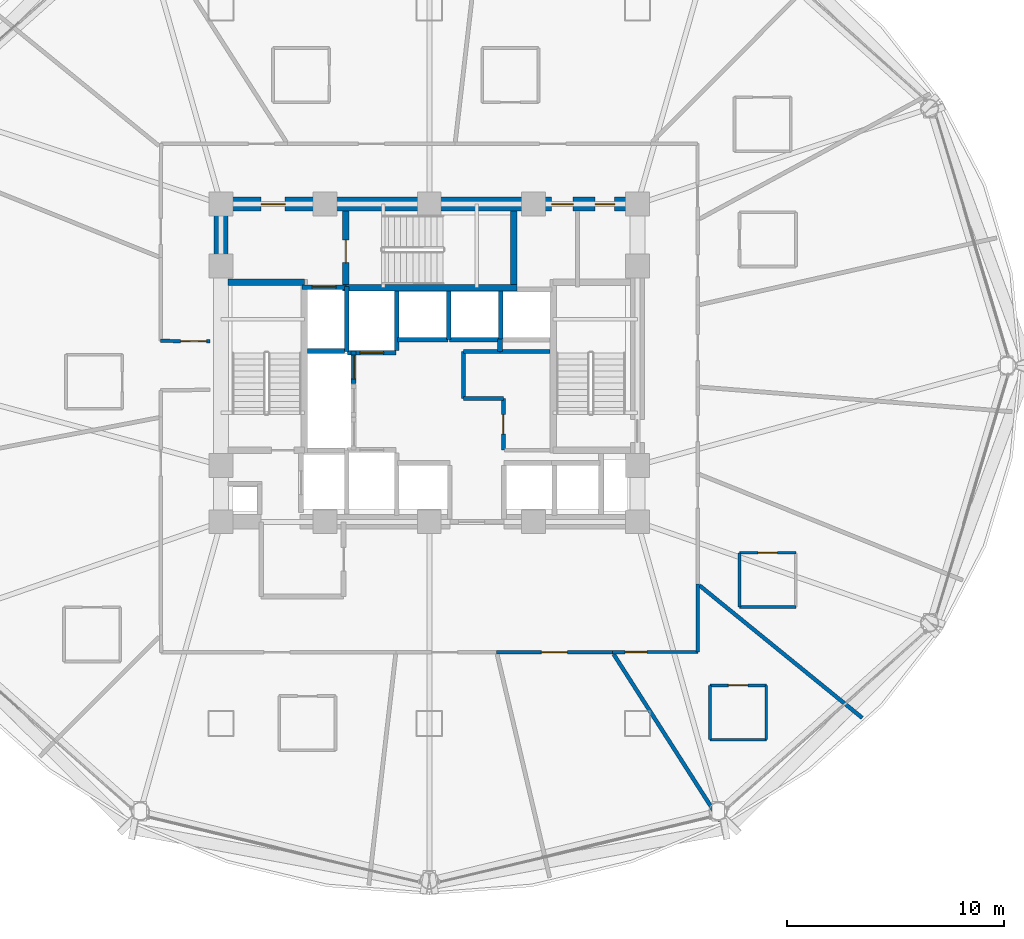
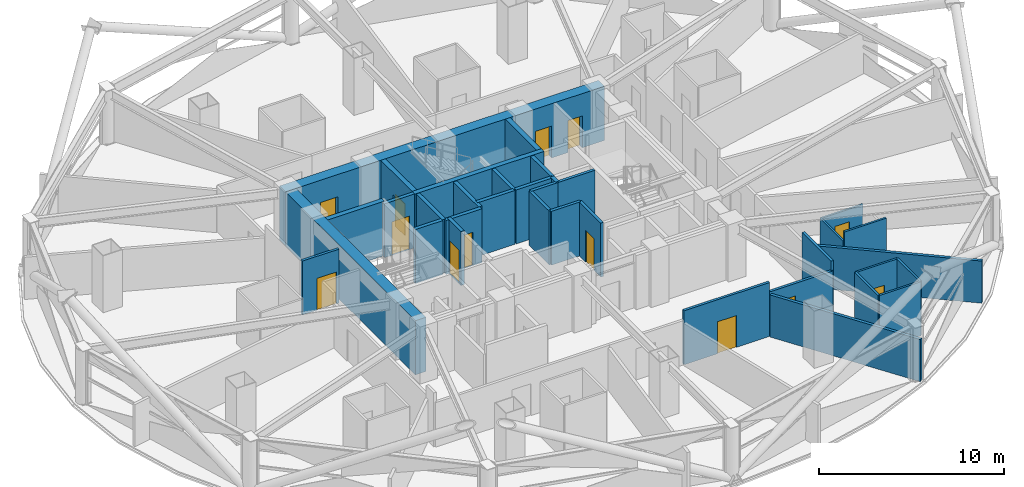
# One storey, part 24 of 30: 35 walls, 13 doors, 13 openings.
"""IFC4 building model written with IfcOpenShell, lengths in metres."""

from ifc_helpers import new_model, si_unit, direction, frame, frame_2d, origin, place, context, subcontext, project, spatial, rectangle, extrude, material, layer, layer_set, type_object, element, fill, save


model = new_model("IFC4")

# Units and contexts
model_context = context("Model", 3, precision=1e-05, world=origin(), true_north=direction((0.0, 1.0)))
body_context = subcontext(model_context, "Body", "Model", "MODEL_VIEW")
ifc_project = project(units=[si_unit("LENGTHUNIT", "METRE"), si_unit("AREAUNIT", "SQUARE_METRE"), si_unit("VOLUMEUNIT", "CUBIC_METRE"), si_unit("PLANEANGLEUNIT", "RADIAN"), si_unit("MASSUNIT", "GRAM", prefix="KILO")], contexts=[model_context])

# Site, building, storey
site_placement = place(None, origin())
site = spatial("IfcSite", under=ifc_project, at=site_placement, CompositionType="ELEMENT")
building_placement = place(site_placement, origin())
building = spatial("IfcBuilding", under=site, at=building_placement, Name="Vantalir Tower", CompositionType="ELEMENT")
storey_placement = place(building_placement, frame((0.0, 0.0, 49.5)))
storey = spatial("IfcBuildingStorey", under=building, at=storey_placement, Name="L11", CompositionType="ELEMENT", Elevation=49.5)

# Wall
ifc_material_1 = material(Name="Moisture-resistant en-suite partition", Category="gypsum")
ifc_layer_1 = layer(ifc_material_1, 0.125)
ifc_layer_set_1 = layer_set([ifc_layer_1], Name="Moisture-resistant en-suite partition")
wall_type_1 = type_object("IfcWallType", Name="WL-BATH-125", PredefinedType="PARTITIONING", material=ifc_layer_set_1)
wall_1_placement = place(storey_placement, frame((44.446044921875, 7.7548828125, 0.0), z_axis=(0.0, 0.0, 1.0), x_axis=(1.0, 0.0, 0.0)))
element("IfcWall", 1, at=wall_1_placement, inside=storey, type_object=wall_type_1, Name="L11 En-suite 12 South Wall", PredefinedType="PARTITIONING", context=body_context, shape_type="SweptSolid", body=[
    extrude(rectangle(XDim=2.599853515625, YDim=0.125, at=frame_2d((1.2998046875, 0.0))), origin(), (0.0, 0.0, 1.0), 3.550048828125),
])

# Wall, opening, door
wall_2_placement = place(storey_placement, frame((44.446044921875, 10.2548828125, 0.0), z_axis=(0.0, 0.0, 1.0), x_axis=(1.0, 0.0, 0.0)))
wall_2 = element("IfcWall", 2, at=wall_2_placement, inside=storey, type_object=wall_type_1, Name="L11 En-suite 12 North Wall", PredefinedType="PARTITIONING", context=body_context, shape_type="SweptSolid", body=[
    extrude(rectangle(XDim=2.599853515625, YDim=0.125, at=frame_2d((1.2998046875, 0.0))), origin(), (0.0, 0.0, 1.0), 3.550048828125),
])
opening_1_placement = place(wall_2_placement, frame((0.85009765625, 0.0, 0.0)))
opening_1 = element("IfcOpeningElement", 3, at=opening_1_placement, cuts=wall_2, Name="Opening D-WC", PredefinedType="OPENING", context=body_context, shape_type="SweptSolid", body=[
    extrude(rectangle(XDim=0.89990234375, YDim=2.10009765625, at=frame_2d((0.449951171875, 1.050048828125))), frame((0.0, 0.072509765625, 0.0), z_axis=(0.0, -1.0, 0.0), x_axis=(1.0, 0.0, 0.0)), (0.0, 0.0, 1.0), 0.14501953125),
])
ifc_material_2 = material(Name="Moisture-resistant hardwood door", Category="wood")
door_type_1 = type_object("IfcDoorType", Name="DR-ENSUITE-900", OperationType="NOTDEFINED", PredefinedType="DOOR", material=ifc_material_2)
door_1_placement = place(opening_1_placement, frame((0.89990234375, 0.0, 0.0), z_axis=(0.0, 0.0, 1.0), x_axis=(-1.0, 0.0, 0.0)))
door_1 = element("IfcDoor", 4, at=door_1_placement, inside=storey, type_object=door_type_1, Name="L11 En-suite 12 Door", OperationType="SINGLE_SWING_RIGHT", OverallHeight=2.10009765625, OverallWidth=0.89990234375, PredefinedType="DOOR", context=body_context, shape_type="SweptSolid", body=[
    extrude(rectangle(XDim=0.89990234375, YDim=2.10009765625, at=frame_2d((0.449951171875, 1.050048828125))), frame((0.0, 0.02490234375, 0.0), z_axis=(0.0, -1.0, 0.0), x_axis=(1.0, 0.0, 0.0)), (0.0, 0.0, 1.0), 0.050048828125),
])
fill(opening_1, door_1)

# Walls
for number, where, z_axis, x_axis, name in (
    (5, (44.446044921875, 7.7548828125, 0.0), (0.0, 0.0, 1.0), (0.0, 1.0, 0.0), "L11 En-suite 12 West Wall"),
    (6, (47.0458984375, 7.7548828125, 0.0), (0.0, 0.0, 1.0), (0.0, 1.0, 0.0), "L11 En-suite 12 East Wall"),
):
    element("IfcWall", number, at=place(storey_placement, frame(where, z_axis=z_axis, x_axis=x_axis)), inside=storey, type_object=wall_type_1, Name=name, PredefinedType="PARTITIONING", context=body_context, shape_type="SweptSolid", body=[
        extrude(rectangle(XDim=2.5, YDim=0.125, at=frame_2d((1.25, 0.0))), origin(), (0.0, 0.0, 1.0), 3.550048828125),
    ])
wall_3_placement = place(storey_placement, frame((45.805908203125, 13.867919921875, 0.0), z_axis=(0.0, 0.0, 1.0), x_axis=(1.0, 0.0, 0.0)))
element("IfcWall", 7, at=wall_3_placement, inside=storey, type_object=wall_type_1, Name="L11 En-suite 13 South Wall", PredefinedType="PARTITIONING", context=body_context, shape_type="SweptSolid", body=[
    extrude(rectangle(XDim=2.60009765625, YDim=0.125, at=frame_2d((1.300048828125, 0.0))), origin(), (0.0, 0.0, 1.0), 3.550048828125),
])

# Wall, opening, door
wall_4_placement = place(storey_placement, frame((45.805908203125, 16.367919921875, 0.0), z_axis=(0.0, 0.0, 1.0), x_axis=(1.0, 0.0, 0.0)))
wall_4 = element("IfcWall", 8, at=wall_4_placement, inside=storey, type_object=wall_type_1, Name="L11 En-suite 13 North Wall", PredefinedType="PARTITIONING", context=body_context, shape_type="SweptSolid", body=[
    extrude(rectangle(XDim=2.60009765625, YDim=0.125, at=frame_2d((1.300048828125, 0.0))), origin(), (0.0, 0.0, 1.0), 2.927978515625),
])
opening_2_placement = place(wall_4_placement, frame((0.85009765625, 0.0, 0.0)))
opening_2 = element("IfcOpeningElement", 9, at=opening_2_placement, cuts=wall_4, Name="Opening D-WC", PredefinedType="OPENING", context=body_context, shape_type="SweptSolid", body=[
    extrude(rectangle(XDim=0.89990234375, YDim=2.10009765625, at=frame_2d((0.449951171875, 1.050048828125))), frame((0.0, 0.072509765625, 0.0), z_axis=(0.0, -1.0, 0.0), x_axis=(1.0, 0.0, 0.0)), (0.0, 0.0, 1.0), 0.14501953125),
])
door_2_placement = place(opening_2_placement, frame((0.89990234375, 0.0, 0.0), z_axis=(0.0, 0.0, 1.0), x_axis=(-1.0, 0.0, 0.0)))
door_2 = element("IfcDoor", 10, at=door_2_placement, inside=storey, type_object=door_type_1, Name="L11 En-suite 13 Door", OperationType="SINGLE_SWING_LEFT", OverallHeight=2.10009765625, OverallWidth=0.89990234375, PredefinedType="DOOR", context=body_context, shape_type="SweptSolid", body=[
    extrude(rectangle(XDim=0.89990234375, YDim=2.10009765625, at=frame_2d((0.449951171875, 1.050048828125))), frame((0.0, 0.02490234375, 0.0), z_axis=(0.0, -1.0, 0.0), x_axis=(1.0, 0.0, 0.0)), (0.0, 0.0, 1.0), 0.050048828125),
])
fill(opening_2, door_2)

# Wall
wall_5_placement = place(storey_placement, frame((45.805908203125, 13.867919921875, 0.0), z_axis=(0.0, 0.0, 1.0), x_axis=(0.0, 1.0, 0.0)))
element("IfcWall", 11, at=wall_5_placement, inside=storey, type_object=wall_type_1, Name="L11 En-suite 13 West Wall", PredefinedType="PARTITIONING", context=body_context, shape_type="SweptSolid", body=[
    extrude(rectangle(XDim=2.5, YDim=0.125, at=frame_2d((1.25, 0.0))), origin(), (0.0, 0.0, 1.0), 2.927978515625),
])

# Wall, openings, doors
ifc_material_3 = material(Name="Concrete C60/75", Category="concrete")
ifc_layer_2 = layer(ifc_material_3, 0.64990234375)
ifc_layer_set_2 = layer_set([ifc_layer_2], Name="Concrete C60/75")
wall_type_2 = type_object("IfcWallType", Name="WL-CORE-650", PredefinedType="SHEAR", material=ifc_layer_set_2)
wall_6_placement = place(storey_placement, frame((21.574951171875, 32.449951171875, 0.0), z_axis=(0.0, 0.0, 1.0), x_axis=(1.0, 0.0, 0.0)))
wall_6 = element("IfcWall", 12, at=wall_6_placement, inside=storey, type_object=wall_type_2, Name="L11 Core Shear Wall North", PredefinedType="SHEAR", context=body_context, shape_type="SweptSolid", body=[
    extrude(rectangle(XDim=19.85009765625, YDim=0.64990234375, at=frame_2d((9.925048828125, 0.0))), origin(), (0.0, 0.0, 1.0), 3.570068359375),
])
opening_3_placement = place(wall_6_placement, frame((2.175048828125, 0.0, 0.0)))
opening_3 = element("IfcOpeningElement", 13, at=opening_3_placement, cuts=wall_6, Name="Opening D-FFL", PredefinedType="OPENING", context=body_context, shape_type="SweptSolid", body=[
    extrude(rectangle(XDim=1.10009765625, YDim=2.10009765625, at=frame_2d((0.550048828125, 1.050048828125))), frame((0.0, 0.3349609375, 0.0), z_axis=(0.0, -1.0, 0.0), x_axis=(1.0, 0.0, 0.0)), (0.0, 0.0, 1.0), 0.669921875),
])
opening_4_placement = place(wall_6_placement, frame((15.56494140625, 0.0, 0.0)))
opening_4 = element("IfcOpeningElement", 14, at=opening_4_placement, cuts=wall_6, Name="Opening D-GUEST", PredefinedType="OPENING", context=body_context, shape_type="SweptSolid", body=[
    extrude(rectangle(XDim=1.0, YDim=2.10009765625, at=frame_2d((0.5, 1.050048828125))), frame((0.0, 0.3349609375, 0.0), z_axis=(0.0, -1.0, 0.0), x_axis=(1.0, 0.0, 0.0)), (0.0, 0.0, 1.0), 0.669921875),
])
opening_5_placement = place(wall_6_placement, frame((17.574951171875, 0.0, 0.0)))
opening_5 = element("IfcOpeningElement", 15, at=opening_5_placement, cuts=wall_6, Name="Opening D-CR", PredefinedType="OPENING", context=body_context, shape_type="SweptSolid", body=[
    extrude(rectangle(XDim=0.89990234375, YDim=2.10009765625, at=frame_2d((0.449951171875, 1.050048828125))), frame((0.0, 0.3349609375, 0.0), z_axis=(0.0, -1.0, 0.0), x_axis=(1.0, 0.0, 0.0)), (0.0, 0.0, 1.0), 0.669921875),
])
ifc_material_4 = material(Name="Fire-rated steel core service door", Category="steel")
door_type_2 = type_object("IfcDoorType", Name="DR-CORE-SERV-900", OperationType="NOTDEFINED", PredefinedType="DOOR", material=ifc_material_4)
door_3_placement = place(opening_5_placement, frame((0.89990234375, 0.0, 0.0), z_axis=(0.0, 0.0, 1.0), x_axis=(-1.0, 0.0, 0.0)))
door_3 = element("IfcDoor", 16, at=door_3_placement, inside=storey, type_object=door_type_2, Name="L11 Housekeeping and Linen Room Door", OperationType="SINGLE_SWING_RIGHT", OverallHeight=2.10009765625, OverallWidth=0.89990234375, PredefinedType="DOOR", context=body_context, shape_type="SweptSolid", body=[
    extrude(rectangle(XDim=0.89990234375, YDim=2.10009765625, at=frame_2d((0.449951171875, 1.050048828125))), frame((0.0, 0.02490234375, 0.0), z_axis=(0.0, -1.0, 0.0), x_axis=(1.0, 0.0, 0.0)), (0.0, 0.0, 1.0), 0.050048828125),
])
fill(opening_5, door_3)
ifc_material_5 = material(Name="Fire-rated acoustic steel door", Category="steel")
door_type_3 = type_object("IfcDoorType", Name="DR-FIRE-LOBBY-1100", OperationType="NOTDEFINED", PredefinedType="DOOR", material=ifc_material_5)
door_4_placement = place(opening_3_placement, frame((1.10009765625, 0.0, 0.0), z_axis=(0.0, 0.0, 1.0), x_axis=(-1.0, 0.0, 0.0)))
door_4 = element("IfcDoor", 17, at=door_4_placement, inside=storey, type_object=door_type_3, Name="L11 Firefighting Lobby East Access Door", OperationType="SINGLE_SWING_LEFT", OverallHeight=2.10009765625, OverallWidth=1.10009765625, PredefinedType="DOOR", context=body_context, shape_type="SweptSolid", body=[
    extrude(rectangle(XDim=1.10009765625, YDim=2.10009765625, at=frame_2d((0.550048828125, 1.050048828125))), frame((0.0, 0.02490234375, 0.0), z_axis=(0.0, -1.0, 0.0), x_axis=(1.0, 0.0, 0.0)), (0.0, 0.0, 1.0), 0.050048828125),
])
fill(opening_3, door_4)
ifc_material_6 = material(Name="Solid-core teak veneer acoustic fire door", Category="wood")
door_type_4 = type_object("IfcDoorType", Name="DR-GUEST-ENTRY-1000", OperationType="NOTDEFINED", PredefinedType="DOOR", material=ifc_material_6)
door_5_placement = place(opening_4_placement, frame((1.0, 0.0, 0.0), z_axis=(0.0, 0.0, 1.0), x_axis=(-1.0, 0.0, 0.0)))
door_5 = element("IfcDoor", 18, at=door_5_placement, inside=storey, type_object=door_type_4, Name="L11 High-Rise Lift Lobby Door", OperationType="SINGLE_SWING_LEFT", OverallHeight=2.10009765625, OverallWidth=1.0, PredefinedType="DOOR", context=body_context, shape_type="SweptSolid", body=[
    extrude(rectangle(XDim=1.0, YDim=2.10009765625, at=frame_2d((0.5, 1.050048828125))), frame((0.0, 0.02490234375, 0.0), z_axis=(0.0, -1.0, 0.0), x_axis=(1.0, 0.0, 0.0)), (0.0, 0.0, 1.0), 0.050048828125),
])
fill(opening_4, door_5)

# Wall
wall_7_placement = place(storey_placement, frame((21.89990234375, 18.125, 0.0), z_axis=(0.0, 0.0, 1.0), x_axis=(0.0, 1.0, 0.0)))
element("IfcWall", 19, at=wall_7_placement, inside=storey, type_object=wall_type_2, Name="L11 Core Shear Wall West", PredefinedType="SHEAR", context=body_context, shape_type="SweptSolid", body=[
    extrude(rectangle(XDim=14.0, YDim=0.64990234375, at=frame_2d((7.0, 0.0))), origin(), (0.0, 0.0, 1.0), 3.570068359375),
])

# Wall, opening, door
ifc_material_7 = material(Name="Fire-rated hotel corridor acoustic partition", Category="gypsum")
ifc_layer_3 = layer(ifc_material_7, 0.159912109375)
ifc_layer_set_3 = layer_set([ifc_layer_3], Name="Fire-rated hotel corridor acoustic partition")
wall_type_3 = type_object("IfcWallType", Name="WL-CORR-160", PredefinedType="PARTITIONING", material=ifc_layer_set_3)
wall_8_placement = place(storey_placement, frame((21.39501953125, 26.116943359375, 0.0), z_axis=(0.0, 0.0, 1.0), x_axis=(-0.999939393754, 0.011009487713, 0.0)))
wall_8 = element("IfcWall", 20, at=wall_8_placement, inside=storey, type_object=wall_type_3, Name="L11 Corridor Partition 01", PredefinedType="PARTITIONING", context=body_context, shape_type="SweptSolid", body=[
    extrude(rectangle(XDim=2.2841796875, YDim=0.159912109375, at=frame_2d((1.14208984375, 0.0))), origin(), (0.0, 0.0, 1.0), 3.550048828125),
])
opening_6_placement = place(wall_8_placement, frame((0.159912109375, 0.0, 0.0)))
opening_6 = element("IfcOpeningElement", 21, at=opening_6_placement, cuts=wall_8, Name="Opening D-STE", PredefinedType="OPENING", context=body_context, shape_type="SweptSolid", body=[
    extrude(rectangle(XDim=1.199951171875, YDim=2.10009765625, at=frame_2d((0.60009765625, 1.050048828125))), frame((0.0, 0.08984375, 0.0), z_axis=(0.0, -1.0, 0.0), x_axis=(1.0, 0.0, 0.0)), (0.0, 0.0, 1.0), 0.179931640625),
])
ifc_material_8 = material(Name="Solid-core teak veneer suite entrance door", Category="wood")
door_type_5 = type_object("IfcDoorType", Name="DR-SUITE-ENTRY-1200", OperationType="NOTDEFINED", PredefinedType="DOOR", material=ifc_material_8)
door_6_placement = place(opening_6_placement, origin())
door_6 = element("IfcDoor", 22, at=door_6_placement, inside=storey, type_object=door_type_5, Name="L11 Corner Panorama Hotel Suite 07 Door", OperationType="SINGLE_SWING_RIGHT", OverallHeight=2.10009765625, OverallWidth=1.199951171875, PredefinedType="DOOR", context=body_context, shape_type="SweptSolid", body=[
    extrude(rectangle(XDim=1.199951171875, YDim=2.10009765625, at=frame_2d((0.60009765625, 1.050048828125))), frame((0.0, 0.02490234375, 0.0), z_axis=(0.0, -1.0, 0.0), x_axis=(1.0, 0.0, 0.0)), (0.0, 0.0, 1.0), 0.050048828125),
])
fill(opening_6, door_6)

# Wall
wall_9_placement = place(storey_placement, frame((43.883056640625, 14.926025390625, 0.0), z_axis=(0.0, 0.0, 1.0), x_axis=(0.000623976167, -0.999999805327, 0.0)))
element("IfcWall", 23, at=wall_9_placement, inside=storey, type_object=wall_type_3, Name="L11 Corridor Partition 13", PredefinedType="PARTITIONING", context=body_context, shape_type="SweptSolid", body=[
    extrude(rectangle(XDim=3.130126953125, YDim=0.159912109375, at=frame_2d((1.56494140625, 0.0))), origin(), (0.0, 0.0, 1.0), 3.550048828125),
])

# Wall, opening, door
wall_10_placement = place(storey_placement, frame((43.885009765625, 11.7958984375, 0.0), z_axis=(0.0, 0.0, 1.0), x_axis=(-0.999999877509, -0.000494957559, 0.0)))
wall_10 = element("IfcWall", 24, at=wall_10_placement, inside=storey, type_object=wall_type_3, Name="L11 Corridor Partition 14", PredefinedType="PARTITIONING", context=body_context, shape_type="SweptSolid", body=[
    extrude(rectangle(XDim=3.946044921875, YDim=0.159912109375, at=frame_2d((1.97314453125, 0.0))), origin(), (0.0, 0.0, 1.0), 2.927978515625),
])
opening_7_placement = place(wall_10_placement, frame((2.347900390625, 0.0, 0.0)))
opening_7 = element("IfcOpeningElement", 25, at=opening_7_placement, cuts=wall_10, Name="Opening D-GUEST", PredefinedType="OPENING", context=body_context, shape_type="SweptSolid", body=[
    extrude(rectangle(XDim=1.0, YDim=2.10009765625, at=frame_2d((0.5, 1.050048828125))), frame((0.0, 0.08984375, 0.0), z_axis=(0.0, -1.0, 0.0), x_axis=(1.0, 0.0, 0.0)), (0.0, 0.0, 1.0), 0.179931640625),
])
door_7_placement = place(opening_7_placement, origin())
door_7 = element("IfcDoor", 26, at=door_7_placement, inside=storey, type_object=door_type_4, Name="L11 Twin Queen Hotel Room 12 Door", OperationType="SINGLE_SWING_LEFT", OverallHeight=2.10009765625, OverallWidth=1.0, PredefinedType="DOOR", context=body_context, shape_type="SweptSolid", body=[
    extrude(rectangle(XDim=1.0, YDim=2.10009765625, at=frame_2d((0.5, 1.050048828125))), frame((0.0, 0.02490234375, 0.0), z_axis=(0.0, -1.0, 0.0), x_axis=(1.0, 0.0, 0.0)), (0.0, 0.0, 1.0), 0.050048828125),
])
fill(opening_7, door_7)

wall_11_placement = place(storey_placement, frame((39.93896484375, 11.7939453125, 0.0), z_axis=(0.0, 0.0, 1.0), x_axis=(-0.99999973155, -0.000732734736, 0.0)))
wall_11 = element("IfcWall", 27, at=wall_11_placement, inside=storey, type_object=wall_type_3, Name="L11 Corridor Partition 15", PredefinedType="PARTITIONING", context=body_context, shape_type="SweptSolid", body=[
    extrude(rectangle(XDim=5.3310546875, YDim=0.159912109375, at=frame_2d((2.66552734375, 0.0))), origin(), (0.0, 0.0, 1.0), 3.550048828125),
])
opening_8_placement = place(wall_11_placement, frame((2.06591796875, 0.0, 0.0)))
opening_8 = element("IfcOpeningElement", 28, at=opening_8_placement, cuts=wall_11, Name="Opening D-STE", PredefinedType="OPENING", context=body_context, shape_type="SweptSolid", body=[
    extrude(rectangle(XDim=1.199951171875, YDim=2.10009765625, at=frame_2d((0.60009765625, 1.050048828125))), frame((0.0, 0.08984375, 0.0), z_axis=(0.0, -1.0, 0.0), x_axis=(1.0, 0.0, 0.0)), (0.0, 0.0, 1.0), 0.179931640625),
])
door_8_placement = place(opening_8_placement, origin())
door_8 = element("IfcDoor", 29, at=door_8_placement, inside=storey, type_object=door_type_5, Name="L11 Executive Sky Boardroom 11 Door", OperationType="SINGLE_SWING_RIGHT", OverallHeight=2.10009765625, OverallWidth=1.199951171875, PredefinedType="DOOR", context=body_context, shape_type="SweptSolid", body=[
    extrude(rectangle(XDim=1.199951171875, YDim=2.10009765625, at=frame_2d((0.60009765625, 1.050048828125))), frame((0.0, 0.02490234375, 0.0), z_axis=(0.0, -1.0, 0.0), x_axis=(1.0, 0.0, 0.0)), (0.0, 0.0, 1.0), 0.050048828125),
])
fill(opening_8, door_8)

# Walls
ifc_material_9 = material(Name="Concrete blockwork with fireboard lining", Category="masonry")
ifc_layer_4 = layer(ifc_material_9, 0.219970703125)
ifc_layer_set_4 = layer_set([ifc_layer_4], Name="Concrete blockwork with fireboard lining")
wall_type_4 = type_object("IfcWallType", Name="WL-FFL-220", PredefinedType="PARTITIONING", material=ifc_layer_set_4)
wall_12_placement = place(storey_placement, frame((30.0, 25.7099609375, 0.0), z_axis=(0.0, 0.0, 1.0), x_axis=(0.0, 1.0, 0.0)))
element("IfcWall", 30, at=wall_12_placement, inside=storey, type_object=wall_type_4, Name="L11 Service Lift SV2 East Shaft Wall", PredefinedType="PARTITIONING", context=body_context, shape_type="SweptSolid", body=[
    extrude(rectangle(XDim=2.72998046875, YDim=0.219970703125, at=frame_2d((1.364990234375, 0.0))), origin(), (0.0, 0.0, 1.0), 3.544921875),
])
wall_13_placement = place(storey_placement, frame((32.39990234375, 26.199951171875, 0.0), z_axis=(0.0, 0.0, 1.0), x_axis=(0.0, 1.0, 0.0)))
element("IfcWall", 31, at=wall_13_placement, inside=storey, type_object=wall_type_4, Name="L11 High-Rise Lift PL-H1/H2 Shaft Divider", PredefinedType="PARTITIONING", context=body_context, shape_type="SweptSolid", body=[
    extrude(rectangle(XDim=2.239990234375, YDim=0.219970703125, at=frame_2d((1.1201171875, 0.0))), origin(), (0.0, 0.0, 1.0), 3.544921875),
])
wall_14_placement = place(storey_placement, frame((34.800048828125, 26.22998046875, 0.0), z_axis=(0.0, 0.0, 1.0), x_axis=(0.0, 1.0, 0.0)))
element("IfcWall", 32, at=wall_14_placement, inside=storey, type_object=wall_type_4, Name="L11 High-Rise Lift PL-H2/H3 Shaft Divider", PredefinedType="PARTITIONING", context=body_context, shape_type="SweptSolid", body=[
    extrude(rectangle(XDim=2.2099609375, YDim=0.219970703125, at=frame_2d((1.10498046875, 0.0))), origin(), (0.0, 0.0, 1.0), 3.544921875),
])

# Wall, opening, door
wall_15_placement = place(storey_placement, frame((25.639892578125, 28.610107421875, 0.0), z_axis=(0.0, 0.0, 1.0), x_axis=(1.0, 0.0, 0.0)))
wall_15 = element("IfcWall", 33, at=wall_15_placement, inside=storey, type_object=wall_type_4, Name="L11 Lift FL2 Shaft Front Wall", PredefinedType="PARTITIONING", context=body_context, shape_type="SweptSolid", body=[
    extrude(rectangle(XDim=2.02001953125, YDim=0.219970703125, at=frame_2d((1.010009765625, 0.0))), origin(), (0.0, 0.0, 1.0), 3.550048828125),
])
opening_9_placement = place(wall_15_placement, frame((0.4599609375, 0.0, 0.0)))
opening_9 = element("IfcOpeningElement", 34, at=opening_9_placement, cuts=wall_15, Name="Opening LD-FL2", PredefinedType="OPENING", context=body_context, shape_type="SweptSolid", body=[
    extrude(rectangle(XDim=1.10009765625, YDim=2.199951171875, at=frame_2d((0.550048828125, 1.10009765625))), frame((0.0, 0.119873046875, 0.0), z_axis=(0.0, -1.0, 0.0), x_axis=(1.0, 0.0, 0.0)), (0.0, 0.0, 1.0), 0.239990234375),
])
ifc_material_10 = material(Name="Brushed stainless-steel sliding lift landing door", Category="steel")
door_type_6 = type_object("IfcDoorType", Name="DR-LIFT-LANDING-1100", OperationType="DOUBLE_DOOR_SLIDING", PredefinedType="DOOR", material=ifc_material_10)
door_9_placement = place(opening_9_placement, origin())
door_9 = element("IfcDoor", 35, at=door_9_placement, inside=storey, type_object=door_type_6, Name="L11 Lift Landing Door FL2", OperationType="DOUBLE_DOOR_SLIDING", OverallHeight=2.199951171875, OverallWidth=1.10009765625, PredefinedType="DOOR", context=body_context, shape_type="SweptSolid", body=[
    extrude(rectangle(XDim=1.10009765625, YDim=2.199951171875, at=frame_2d((0.550048828125, 1.10009765625))), frame((0.0, 0.02490234375, 0.0), z_axis=(0.0, -1.0, 0.0), x_axis=(1.0, 0.0, 0.0)), (0.0, 0.0, 1.0), 0.050048828125),
])
fill(opening_9, door_9)

wall_16_placement = place(storey_placement, frame((27.739990234375, 25.590087890625, 0.0), z_axis=(0.0, 0.0, 1.0), x_axis=(1.0, 0.0, 0.0)))
wall_16 = element("IfcWall", 36, at=wall_16_placement, inside=storey, type_object=wall_type_4, Name="L11 Lift SV2 Shaft Front Wall", PredefinedType="PARTITIONING", context=body_context, shape_type="SweptSolid", body=[
    extrude(rectangle(XDim=2.219970703125, YDim=0.219970703125, at=frame_2d((1.10986328125, 0.0))), origin(), (0.0, 0.0, 1.0), 3.550048828125),
])
opening_10_placement = place(wall_16_placement, frame((0.56005859375, 0.0, 0.0)))
opening_10 = element("IfcOpeningElement", 37, at=opening_10_placement, cuts=wall_16, Name="Opening LD-SV2", PredefinedType="OPENING", context=body_context, shape_type="SweptSolid", body=[
    extrude(rectangle(XDim=1.10009765625, YDim=2.199951171875, at=frame_2d((0.550048828125, 1.10009765625))), frame((0.0, 0.119873046875, 0.0), z_axis=(0.0, -1.0, 0.0), x_axis=(1.0, 0.0, 0.0)), (0.0, 0.0, 1.0), 0.239990234375),
])
door_10_placement = place(opening_10_placement, frame((1.10009765625, 0.0, 0.0), z_axis=(0.0, 0.0, 1.0), x_axis=(-1.0, 0.0, 0.0)))
door_10 = element("IfcDoor", 38, at=door_10_placement, inside=storey, type_object=door_type_6, Name="L11 Lift Landing Door SV2", OperationType="DOUBLE_DOOR_SLIDING", OverallHeight=2.199951171875, OverallWidth=1.10009765625, PredefinedType="DOOR", context=body_context, shape_type="SweptSolid", body=[
    extrude(rectangle(XDim=1.10009765625, YDim=2.199951171875, at=frame_2d((0.550048828125, 1.10009765625))), frame((0.0, 0.02490234375, 0.0), z_axis=(0.0, -1.0, 0.0), x_axis=(1.0, 0.0, 0.0)), (0.0, 0.0, 1.0), 0.050048828125),
])
fill(opening_10, door_10)

# Walls
for number, where, z_axis, x_axis, name in (
    (39, (30.0400390625, 26.18994140625, 0.0), (0.0, 0.0, 1.0), (1.0, 0.0, 0.0), "L11 Lift PL-H1 Shaft Front Wall"),
    (40, (32.43994140625, 26.18994140625, 0.0), (0.0, 0.0, 1.0), (1.0, 0.0, 0.0), "L11 Lift PL-H2 Shaft Front Wall"),
):
    element("IfcWall", number, at=place(storey_placement, frame(where, z_axis=z_axis, x_axis=x_axis)), inside=storey, type_object=wall_type_4, Name=name, PredefinedType="PARTITIONING", context=body_context, shape_type="SweptSolid", body=[
        extrude(rectangle(XDim=2.320068359375, YDim=0.219970703125, at=frame_2d((1.16015625, 0.0))), origin(), (0.0, 0.0, 1.0), 3.550048828125),
    ])

# Wall, opening, door
wall_17_placement = place(storey_placement, frame((28.010009765625, 24.179931640625, 0.0), z_axis=(0.0, 0.0, 1.0), x_axis=(0.0, 1.0, 0.0)))
wall_17 = element("IfcWall", 41, at=wall_17_placement, inside=storey, type_object=wall_type_4, Name="L11 Lift PL-L3 Shaft Front Wall", PredefinedType="PARTITIONING", context=body_context, shape_type="SweptSolid", body=[
    extrude(rectangle(XDim=1.5, YDim=0.219970703125, at=frame_2d((0.75, 0.0))), origin(), (0.0, 0.0, 1.0), 3.550048828125),
])
opening_11_placement = place(wall_17_placement, frame((0.199951171875, 0.0, 0.0)))
opening_11 = element("IfcOpeningElement", 42, at=opening_11_placement, cuts=wall_17, Name="Opening LD-PL-L3", PredefinedType="OPENING", context=body_context, shape_type="SweptSolid", body=[
    extrude(rectangle(XDim=1.10009765625, YDim=2.199951171875, at=frame_2d((0.550048828125, 1.10009765625))), frame((0.0, 0.119873046875, 0.0), z_axis=(0.0, -1.0, 0.0), x_axis=(1.0, 0.0, 0.0)), (0.0, 0.0, 1.0), 0.239990234375),
])
door_11_placement = place(opening_11_placement, frame((1.10009765625, 0.0, 0.0), z_axis=(0.0, 0.0, 1.0), x_axis=(-1.0, 0.0, 0.0)))
door_11 = element("IfcDoor", 43, at=door_11_placement, inside=storey, type_object=door_type_6, Name="L11 Lift Landing Door PL-L3", OperationType="DOUBLE_DOOR_SLIDING", OverallHeight=2.199951171875, OverallWidth=1.10009765625, PredefinedType="DOOR", context=body_context, shape_type="SweptSolid", body=[
    extrude(rectangle(XDim=1.10009765625, YDim=2.199951171875, at=frame_2d((0.550048828125, 1.10009765625))), frame((0.0, 0.02490234375, 0.0), z_axis=(0.0, -1.0, 0.0), x_axis=(1.0, 0.0, 0.0)), (0.0, 0.0, 1.0), 0.050048828125),
])
fill(opening_11, door_11)

# Walls
wall_18_placement = place(storey_placement, frame((27.699951171875, 25.64990234375, 0.0), z_axis=(0.0, 0.0, 1.0), x_axis=(0.0, 1.0, 0.0)))
element("IfcWall", 44, at=wall_18_placement, inside=storey, type_object=wall_type_4, Name="L11 Fire Lift FL2 Dividing Wall", PredefinedType="PARTITIONING", context=body_context, shape_type="SweptSolid", body=[
    extrude(rectangle(XDim=3.0, YDim=0.219970703125, at=frame_2d((1.5, 0.0))), origin(), (0.0, 0.0, 1.0), 3.550048828125),
])
wall_19_placement = place(storey_placement, frame((25.8798828125, 25.679931640625, 0.0), z_axis=(0.0, 0.0, 1.0), x_axis=(1.0, 0.0, 0.0)))
element("IfcWall", 45, at=wall_19_placement, inside=storey, type_object=wall_type_4, Name="L11 Low-Rise Bank North Wall", PredefinedType="PARTITIONING", context=body_context, shape_type="SweptSolid", body=[
    extrude(rectangle(XDim=1.7001953125, YDim=0.219970703125, at=frame_2d((0.85009765625, 0.0))), origin(), (0.0, 0.0, 1.0), 3.550048828125),
])
wall_20_placement = place(storey_placement, frame((34.760009765625, 25.64990234375, 0.0), z_axis=(0.0, 0.0, 1.0), x_axis=(0.0, 1.0, 0.0)))
element("IfcWall", 46, at=wall_20_placement, inside=storey, type_object=wall_type_4, Name="L11 High-Rise Shaft Shoulder Wall", PredefinedType="PARTITIONING", context=body_context, shape_type="SweptSolid", body=[
    extrude(rectangle(XDim=0.570068359375, YDim=0.219970703125, at=frame_2d((0.28515625, 0.0))), origin(), (0.0, 0.0, 1.0), 3.550048828125),
])
ifc_material_11 = material(Name="Twin-stud acoustic fire-rated gypsum partition", Category="gypsum")
ifc_layer_5 = layer(ifc_material_11, 0.179931640625)
ifc_layer_set_5 = layer_set([ifc_layer_5], Name="Twin-stud acoustic fire-rated gypsum partition")
wall_type_5 = type_object("IfcWallType", Name="WL-GUEST-180", PredefinedType="PARTITIONING", material=ifc_layer_set_5)
wall_21_placement = place(storey_placement, frame((34.719970703125, 25.64990234375, 0.0), z_axis=(0.0, 0.0, 1.0), x_axis=(1.0, 0.0, 0.0)))
element("IfcWall", 47, at=wall_21_placement, inside=storey, type_object=wall_type_5, Name="L11 Freed East Core North Wall", PredefinedType="PARTITIONING", context=body_context, shape_type="SweptSolid", body=[
    extrude(rectangle(XDim=2.340087890625, YDim=0.179931640625, at=frame_2d((1.169921875, 0.0))), origin(), (0.0, 0.0, 1.0), 3.550048828125),
])
wall_22_placement = place(storey_placement, frame((33.080078125, 25.64990234375, 0.0), z_axis=(0.0, 0.0, 1.0), x_axis=(1.0, 0.0, 0.0)))
element("IfcWall", 48, at=wall_22_placement, inside=storey, type_object=wall_type_5, Name="L11 East Core Alcove North Wall", PredefinedType="PARTITIONING", context=body_context, shape_type="SweptSolid", body=[
    extrude(rectangle(XDim=1.679931640625, YDim=0.179931640625, at=frame_2d((0.83984375, 0.0))), origin(), (0.0, 0.0, 1.0), 3.550048828125),
])
wall_23_placement = place(storey_placement, frame((33.080078125, 23.47998046875, 0.0), z_axis=(0.0, 0.0, 1.0), x_axis=(0.0, 1.0, 0.0)))
element("IfcWall", 49, at=wall_23_placement, inside=storey, type_object=wall_type_5, Name="L11 East Core Alcove West Wall", PredefinedType="PARTITIONING", context=body_context, shape_type="SweptSolid", body=[
    extrude(rectangle(XDim=2.169921875, YDim=0.179931640625, at=frame_2d((1.0849609375, 0.0))), origin(), (0.0, 0.0, 1.0), 3.550048828125),
])
wall_24_placement = place(storey_placement, frame((33.080078125, 23.47998046875, 0.0), z_axis=(0.0, 0.0, 1.0), x_axis=(1.0, 0.0, 0.0)))
element("IfcWall", 50, at=wall_24_placement, inside=storey, type_object=wall_type_5, Name="L11 East Core Alcove South Wall", PredefinedType="PARTITIONING", context=body_context, shape_type="SweptSolid", body=[
    extrude(rectangle(XDim=1.83984375, YDim=0.179931640625, at=frame_2d((0.919921875, 0.0))), origin(), (0.0, 0.0, 1.0), 3.550048828125),
])

# Wall, opening, door
wall_25_placement = place(storey_placement, frame((34.919921875, 21.10009765625, 0.0), z_axis=(0.0, 0.0, 1.0), x_axis=(0.0, 1.0, 0.0)))
wall_25 = element("IfcWall", 51, at=wall_25_placement, inside=storey, type_object=wall_type_5, Name="L11 East Core Lower West Wall", PredefinedType="PARTITIONING", context=body_context, shape_type="SweptSolid", body=[
    extrude(rectangle(XDim=2.3798828125, YDim=0.179931640625, at=frame_2d((1.18994140625, 0.0))), origin(), (0.0, 0.0, 1.0), 3.550048828125),
])
opening_12_placement = place(wall_25_placement, frame((0.739990234375, 0.0, 0.0)))
opening_12 = element("IfcOpeningElement", 52, at=opening_12_placement, cuts=wall_25, Name="Opening D-CR", PredefinedType="OPENING", context=body_context, shape_type="SweptSolid", body=[
    extrude(rectangle(XDim=0.89990234375, YDim=2.10009765625, at=frame_2d((0.449951171875, 1.050048828125))), frame((0.0, 0.099853515625, 0.0), z_axis=(0.0, -1.0, 0.0), x_axis=(1.0, 0.0, 0.0)), (0.0, 0.0, 1.0), 0.199951171875),
])
door_12_placement = place(opening_12_placement, frame((0.89990234375, 0.0, 0.0), z_axis=(0.0, 0.0, 1.0), x_axis=(-1.0, 0.0, 0.0)))
door_12 = element("IfcDoor", 53, at=door_12_placement, inside=storey, type_object=door_type_2, Name="L11 Core Telecoms Door", OperationType="SINGLE_SWING_LEFT", OverallHeight=2.10009765625, OverallWidth=0.89990234375, PredefinedType="DOOR", context=body_context, shape_type="SweptSolid", body=[
    extrude(rectangle(XDim=0.89990234375, YDim=2.10009765625, at=frame_2d((0.449951171875, 1.050048828125))), frame((0.0, 0.02490234375, 0.0), z_axis=(0.0, -1.0, 0.0), x_axis=(1.0, 0.0, 0.0)), (0.0, 0.0, 1.0), 0.050048828125),
])
fill(opening_12, door_12)

# Walls
wall_26_placement = place(storey_placement, frame((39.998046875, 11.699951171875, 0.0), z_axis=(0.0, 0.0, 1.0), x_axis=(0.53849796623, -0.842626809665, 0.0)))
element("IfcWall", 54, at=wall_26_placement, inside=storey, type_object=wall_type_5, Name="L11 Radial Suite Partition 12", PredefinedType="PARTITIONING", context=body_context, shape_type="SweptSolid", body=[
    extrude(rectangle(XDim=9.127197265625, YDim=0.179931640625, at=frame_2d((4.5634765625, 0.0))), origin(), (0.0, 0.0, 1.0), 2.77490234375),
])
wall_27_placement = place(storey_placement, frame((43.965087890625, 14.860107421875, 0.0), z_axis=(0.0, 0.0, 1.0), x_axis=(0.77570287791, -0.631098284899, 0.0)))
element("IfcWall", 55, at=wall_27_placement, inside=storey, type_object=wall_type_5, Name="L11 Radial Suite Partition 13", PredefinedType="PARTITIONING", context=body_context, shape_type="SweptSolid", body=[
    extrude(rectangle(XDim=9.66748046875, YDim=0.179931640625, at=frame_2d((4.833740234375, 0.0))), origin(), (0.0, 0.0, 1.0), 2.77490234375),
])
ifc_material_12 = material(Name="Concrete C50/60", Category="concrete")
ifc_layer_6 = layer(ifc_material_12, 0.300048828125)
ifc_layer_set_6 = layer_set([ifc_layer_6], Name="Concrete C50/60")
wall_type_6 = type_object("IfcWallType", Name="WL-STAIR-300", PredefinedType="SHEAR", material=ifc_layer_set_6)
wall_28_placement = place(storey_placement, frame((22.22509765625, 28.85009765625, 0.0), z_axis=(0.0, 0.0, 1.0), x_axis=(1.0, 0.0, 0.0)))
element("IfcWall", 56, at=wall_28_placement, inside=storey, type_object=wall_type_6, Name="L11 Stair ST1 North Wall", PredefinedType="SHEAR", context=body_context, shape_type="SweptSolid", body=[
    extrude(rectangle(XDim=3.514892578125, YDim=0.300048828125, at=frame_2d((1.75732421875, 0.0))), origin(), (0.0, 0.0, 1.0), 3.570068359375),
])
wall_29_placement = place(storey_placement, frame((27.510009765625, 28.60009765625, 0.0), z_axis=(0.0, 0.0, 1.0), x_axis=(1.0, 0.0, 0.0)))
element("IfcWall", 57, at=wall_29_placement, inside=storey, type_object=wall_type_6, Name="L11 Stair ST3 South Wall", PredefinedType="SHEAR", context=body_context, shape_type="SweptSolid", body=[
    extrude(rectangle(XDim=8.030029296875, YDim=0.300048828125, at=frame_2d((4.01513671875, 0.0))), origin(), (0.0, 0.0, 1.0), 3.570068359375),
])

# Wall, opening, door
wall_30_placement = place(storey_placement, frame((27.64990234375, 28.75, 0.0), z_axis=(0.0, 0.0, 1.0), x_axis=(0.0, 1.0, 0.0)))
wall_30 = element("IfcWall", 58, at=wall_30_placement, inside=storey, type_object=wall_type_6, Name="L11 Stair ST3 West Wall", PredefinedType="SHEAR", context=body_context, shape_type="SweptSolid", body=[
    extrude(rectangle(XDim=3.375, YDim=0.300048828125, at=frame_2d((1.6875, 0.0))), origin(), (0.0, 0.0, 1.0), 3.570068359375),
])
opening_13_placement = place(wall_30_placement, frame((1.0, 0.0, 0.0)))
opening_13 = element("IfcOpeningElement", 59, at=opening_13_placement, cuts=wall_30, Name="Opening D-ST", PredefinedType="OPENING", context=body_context, shape_type="SweptSolid", body=[
    extrude(rectangle(XDim=1.050048828125, YDim=2.10009765625, at=frame_2d((0.52490234375, 1.050048828125))), frame((0.0, 0.159912109375, 0.0), z_axis=(0.0, -1.0, 0.0), x_axis=(1.0, 0.0, 0.0)), (0.0, 0.0, 1.0), 0.320068359375),
])
ifc_material_13 = material(Name="Fire-rated steel door leaf", Category="steel")
door_type_7 = type_object("IfcDoorType", Name="DR-FIRE-STAIR-1050", OperationType="NOTDEFINED", PredefinedType="DOOR", material=ifc_material_13)
door_13_placement = place(opening_13_placement, frame((1.050048828125, 0.0, 0.0), z_axis=(0.0, 0.0, 1.0), x_axis=(-1.0, 0.0, 0.0)))
door_13 = element("IfcDoor", 60, at=door_13_placement, inside=storey, type_object=door_type_7, Name="L11 Exit Stair ST3 Fire Door", OperationType="SINGLE_SWING_RIGHT", OverallHeight=2.10009765625, OverallWidth=1.050048828125, PredefinedType="DOOR", context=body_context, shape_type="SweptSolid", body=[
    extrude(rectangle(XDim=1.050048828125, YDim=2.10009765625, at=frame_2d((0.52490234375, 1.050048828125))), frame((0.0, 0.02490234375, 0.0), z_axis=(0.0, -1.0, 0.0), x_axis=(1.0, 0.0, 0.0)), (0.0, 0.0, 1.0), 0.050048828125),
])
fill(opening_13, door_13)

# Wall
wall_31_placement = place(storey_placement, frame((35.39990234375, 28.75, 0.0), z_axis=(0.0, 0.0, 1.0), x_axis=(0.0, 1.0, 0.0)))
element("IfcWall", 61, at=wall_31_placement, inside=storey, type_object=wall_type_6, Name="L11 Stair ST3 East Wall", PredefinedType="SHEAR", context=body_context, shape_type="SweptSolid", body=[
    extrude(rectangle(XDim=3.375, YDim=0.300048828125, at=frame_2d((1.6875, 0.0))), origin(), (0.0, 0.0, 1.0), 3.570068359375),
])

save(model, "model.ifc")
